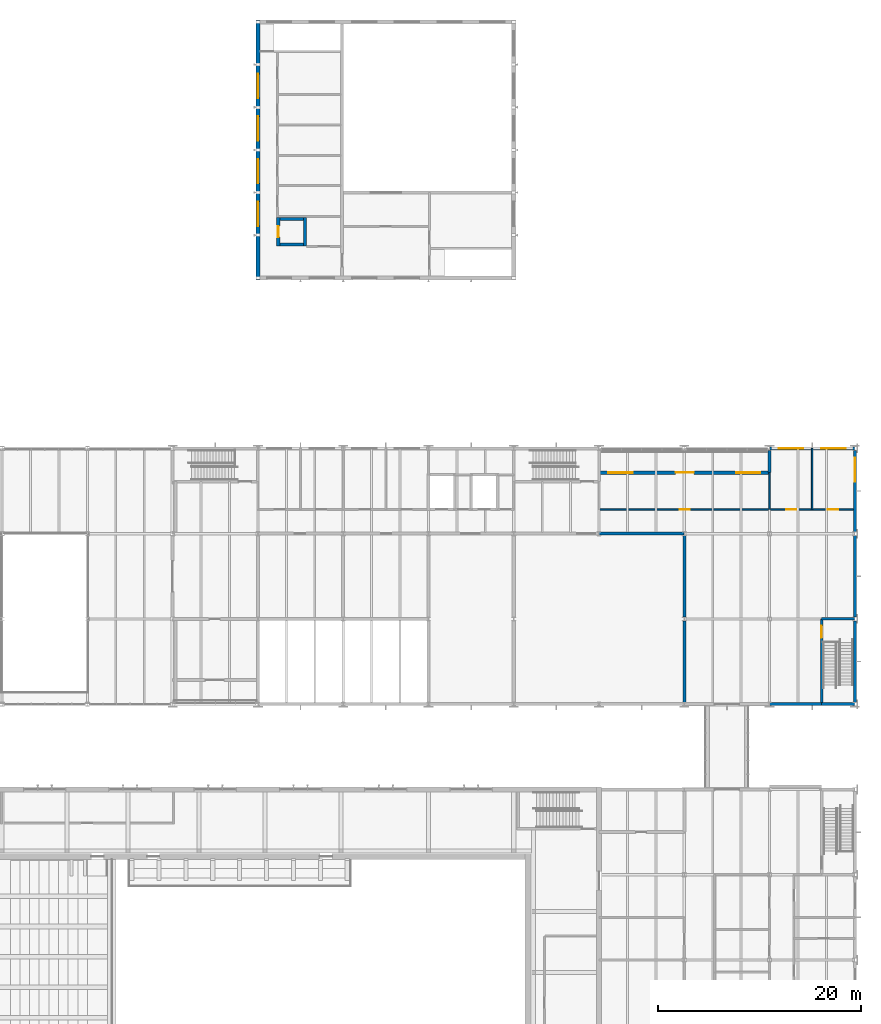
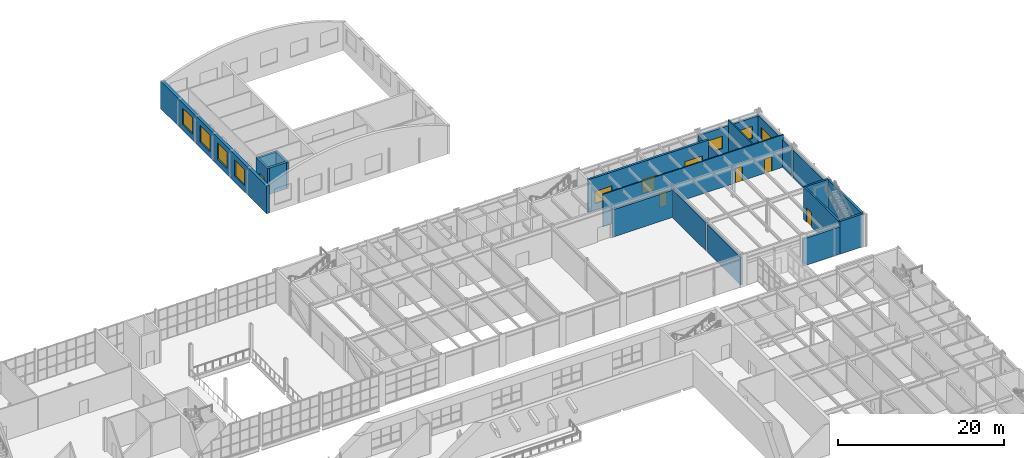
# One storey, part 83 of 127: 21 walls, 9 windows, 6 doors, 15 openings.
"""IFC4 building model written with IfcOpenShell, lengths in metres."""

import ifcopenshell
import ifcopenshell.guid

model = None  # the IFC model being written
_history = None  # IfcOwnerHistory: only IFC2X3 demands one
_inside = {}  # id of a spatial element -> (the spatial element, [elements in it])
_under = {}  # id of a project, library or spatial element -> (it, [spatial elements below it])
_declared = {}  # id of a project -> (the project, [libraries it declares])
_typed = {}  # id of a type object -> (the type object, [elements of that type])
_made_of = {}  # id of a material, layer set ... -> (it, [elements and type objects made of it])


def new_model(schema):
    """Start an empty IFC model of exactly this schema.

    Asked for "IFC4X3", IfcOpenShell would pick the latest addendum, in which some entities
    have other attributes; the version numbers below select the first issue.
    IFC2X3 requires an IfcOwnerHistory on every rooted entity: one is made here for all.
    """
    global model, _history
    if schema == "IFC4X3":
        model = ifcopenshell.file(schema_version=(4, 3, 0, 0))
    else:
        model = ifcopenshell.file(schema=schema)
    _inside.clear()
    _under.clear()
    _declared.clear()
    _typed.clear()
    _made_of.clear()
    _history = None
    if model.schema == "IFC2X3":
        org = make("IfcOrganization", Name="unknown")
        user = make(
            "IfcPersonAndOrganization",
            ThePerson=make("IfcPerson", FamilyName="unknown"),
            TheOrganization=org,
        )
        app = make(
            "IfcApplication",
            ApplicationDeveloper=org,
            Version="unknown",
            ApplicationFullName="unknown",
            ApplicationIdentifier="unknown",
        )
        _history = make(
            "IfcOwnerHistory",
            OwningUser=user,
            OwningApplication=app,
            ChangeAction="ADDED",
            CreationDate=0,
        )
    return model


def make(cls, **values):
    """One entity of the class cls with the attributes given. An attribute that is None is left unset."""
    return model.create_entity(
        cls, **{name: value for name, value in values.items() if value is not None}
    )


def rooted(cls, **values):
    """An entity with a GlobalId (a new one), such as an element, a storey or a relation."""
    return make(cls, GlobalId=ifcopenshell.guid.new(), OwnerHistory=_history, **values)


def si_unit(unit_type, name, prefix=None):
    """IfcSIUnit, for example si_unit("LENGTHUNIT", "METRE", prefix="MILLI")."""
    return make("IfcSIUnit", UnitType=unit_type, Prefix=prefix, Name=name)


def assignment(units):
    """IfcUnitAssignment: the units of a project."""
    return None if units is None else make("IfcUnitAssignment", Units=units)


def point(xyz):
    """IfcCartesianPoint."""
    return None if xyz is None else make("IfcCartesianPoint", Coordinates=xyz)


def direction(xyz):
    """IfcDirection."""
    return None if xyz is None else make("IfcDirection", DirectionRatios=xyz)


def frame(location, z_axis=None, x_axis=None):
    """IfcAxis2Placement3D, a coordinate frame: its origin and axes. An axis left out is left unset."""
    return make(
        "IfcAxis2Placement3D",
        Location=point(location),
        Axis=direction(z_axis),
        RefDirection=direction(x_axis),
    )


def frame_2d(location, x_axis=None):
    """IfcAxis2Placement2D, a coordinate frame in the plane: its origin and x axis."""
    return make(
        "IfcAxis2Placement2D", Location=point(location), RefDirection=direction(x_axis)
    )


def origin():
    """The frame at (0, 0, 0) with its axes left unset."""
    return frame((0.0, 0.0, 0.0))


def place(relative_to, where):
    """IfcLocalPlacement: puts the frame where relative to a parent placement (None: the world)."""
    return make(
        "IfcLocalPlacement", PlacementRelTo=relative_to, RelativePlacement=where
    )


def context(
    kind, dimensions, precision=None, world=None, true_north=None, identifier=None
):
    """IfcGeometricRepresentationContext, for example the 3D "Model" context."""
    return make(
        "IfcGeometricRepresentationContext",
        ContextIdentifier=identifier,
        ContextType=kind,
        CoordinateSpaceDimension=dimensions,
        Precision=precision,
        WorldCoordinateSystem=world,
        TrueNorth=true_north,
    )


def subcontext(parent, identifier, kind, view, scale=None):
    """IfcGeometricRepresentationSubContext, for example "Body" below "Model"."""
    return make(
        "IfcGeometricRepresentationSubContext",
        ContextIdentifier=identifier,
        ContextType=kind,
        ParentContext=parent,
        TargetScale=scale,
        TargetView=view,
    )


def project(units=None, contexts=None):
    """IfcProject with its units and contexts."""
    return rooted(
        "IfcProject",
        Name="project",
        RepresentationContexts=contexts,
        UnitsInContext=assignment(units),
    )


def spatial(cls, under=None, at=None, **own):
    """A site, building, storey or space (cls), placed at a placement, below another one or the project."""
    s = rooted(cls, ObjectPlacement=at, **own)
    if under is not None:
        _under.setdefault(under.id(), (under, []))[1].append(s)
    return s


def profile(cls, at=None, kind="AREA", **sizes):
    """A parametric profile (cls). Its sizes go by their IFC names, for example OverallWidth=200.0."""
    return make(cls, ProfileType=kind, Position=at, **sizes)


def rectangle(**sizes):
    """IfcRectangleProfileDef."""
    return profile("IfcRectangleProfileDef", **sizes)


def extrude(swept, where, along, depth):
    """IfcExtrudedAreaSolid: the profile swept, set in the frame where, extruded along a direction by depth."""
    return make(
        "IfcExtrudedAreaSolid",
        SweptArea=swept,
        Position=where,
        ExtrudedDirection=direction(along),
        Depth=depth,
    )


def shape(context_of_items, identifier, shape_type, items):
    """IfcShapeRepresentation: the items that make up one representation, for example the "Body"."""
    return make(
        "IfcShapeRepresentation",
        ContextOfItems=context_of_items,
        RepresentationIdentifier=identifier,
        RepresentationType=shape_type,
        Items=items,
    )


def material(Name=None, Category=None):
    """IfcMaterial."""
    return make("IfcMaterial", Name=Name, Category=Category)


def layer(
    of_material, thickness, ventilated=None, Name=None, Category=None, Priority=None
):
    """IfcMaterialLayer: one layer of a wall or slab, of a material (None: an air gap)."""
    return make(
        "IfcMaterialLayer",
        Material=of_material,
        LayerThickness=thickness,
        IsVentilated=ventilated,
        Name=Name,
        Category=Category,
        Priority=Priority,
    )


def layer_set(layers, Name=None):
    """IfcMaterialLayerSet."""
    return make("IfcMaterialLayerSet", MaterialLayers=layers, LayerSetName=Name)


def made_of(thing, what):
    """Note that an element or type object is made of a material, layer set ...; save() writes the relation."""
    if what is not None:
        _made_of.setdefault(what.id(), (what, []))[1].append(thing)
    return thing


def type_object(cls, material=None, **own):
    """A type object (cls), such as IfcWallType, which elements share."""
    return made_of(rooted(cls, **own), material)


def element(
    cls,
    number,
    at=None,
    inside=None,
    cuts=None,
    type_object=None,
    material=None,
    context=None,
    identifier="Body",
    shape_type=None,
    held_by="IfcProductDefinitionShape",
    body=None,
    shapes=None,
    **own,
):
    """One element of the class cls, such as IfcWall. Its Tag is "e" and its number.

    at: its placement. inside: the storey or other place that contains it. cuts: it is an
    opening in that element (IfcRelVoidsElement). A single representation is given by context,
    identifier, shape_type and body (its items); several are given by shapes. held_by: the class
    of the entity that holds the representations. save() writes the other relations.
    """
    e = rooted(cls, Tag="e%d" % number, ObjectPlacement=at, **own)
    if body is not None:
        shapes = [shape(context, identifier, shape_type, body)]
    if shapes is not None:
        e.Representation = make(held_by, Representations=shapes)
    if inside is not None:
        _inside.setdefault(inside.id(), (inside, []))[1].append(e)
    if cuts is not None:
        rooted(
            "IfcRelVoidsElement", RelatingBuildingElement=cuts, RelatedOpeningElement=e
        )
    if type_object is not None:
        _typed.setdefault(type_object.id(), (type_object, []))[1].append(e)
    return made_of(e, material)


def fill(opening, filler):
    """IfcRelFillsElement: the door or window that sits in an opening."""
    return rooted(
        "IfcRelFillsElement",
        RelatingOpeningElement=opening,
        RelatedBuildingElement=filler,
    )


def aggregate(whole, parts):
    """IfcRelAggregates: a whole, such as a stair, and the parts it consists of."""
    return rooted("IfcRelAggregates", RelatingObject=whole, RelatedObjects=parts)


def save(model, path):
    """Write the relations noted so far, then the file.

    IfcRelAggregates (storeys below a building ...), IfcRelContainedInSpatialStructure (elements
    in a storey), IfcRelDefinesByType, IfcRelAssociatesMaterial and IfcRelDeclares: one each for
    every whole, place, type object, material and project.
    """
    for whole, parts in _under.values():
        aggregate(whole, parts)
    for where, things in _inside.values():
        rooted(
            "IfcRelContainedInSpatialStructure",
            RelatedElements=things,
            RelatingStructure=where,
        )
    for kind, things in _typed.values():
        rooted("IfcRelDefinesByType", RelatedObjects=things, RelatingType=kind)
    for what, things in _made_of.values():
        rooted("IfcRelAssociatesMaterial", RelatedObjects=things, RelatingMaterial=what)
    for by, libraries in _declared.values():
        rooted("IfcRelDeclares", RelatingContext=by, RelatedDefinitions=libraries)
    model.write(path)


model = new_model("IFC4")

# Units and contexts
model_context = context("Model", 3, precision=1e-05, world=origin(), true_north=direction((0.0, 1.0)))
body_context = subcontext(model_context, "Body", "Model", "MODEL_VIEW")
ifc_project = project(units=[si_unit("LENGTHUNIT", "METRE"), si_unit("AREAUNIT", "SQUARE_METRE"), si_unit("VOLUMEUNIT", "CUBIC_METRE"), si_unit("PLANEANGLEUNIT", "RADIAN"), si_unit("MASSUNIT", "GRAM", prefix="KILO")], contexts=[model_context])

# Site, building, storey
site_placement = place(None, origin())
site = spatial("IfcSite", under=ifc_project, at=site_placement, CompositionType="ELEMENT")
building_placement = place(site_placement, origin())
building = spatial("IfcBuilding", under=site, at=building_placement, Name="Ljudholm Concert House", CompositionType="ELEMENT")
storey_placement = place(building_placement, frame((0.0, 0.0, 5.39990234375)))
storey = spatial("IfcBuildingStorey", under=building, at=storey_placement, Name="L01", CompositionType="ELEMENT", Elevation=5.39990234375)

# Walls
ifc_material_1 = material(Name="Double gypsum board on staggered studs")
ifc_layer_1 = layer(ifc_material_1, 0.300048828125)
ifc_layer_set_1 = layer_set([ifc_layer_1], Name="Double gypsum board on staggered studs")
wall_type_1 = type_object("IfcWallType", Name="ACOUSTIC PARTITION 300", PredefinedType="PARTITIONING", material=ifc_layer_set_1)
wall_1_placement = place(storey_placement, frame((104.800048828125, 104.986572265625, 0.0), z_axis=(0.0, 0.0, 1.0), x_axis=(0.0, 1.0, 0.0)))
element("IfcWall", 1, at=wall_1_placement, inside=storey, type_object=wall_type_1, Name="Acoustic partition", PredefinedType="PARTITIONING", context=body_context, shape_type="SweptSolid", body=[
    extrude(rectangle(XDim=8.02685546875, YDim=0.300048828125, at=frame_2d((4.013427734375, 0.0))), origin(), (0.0, 0.0, 1.0), 4.086669921875),
])
wall_2_placement = place(storey_placement, frame((104.800048828125, 113.38671875, 0.0), z_axis=(0.0, 0.0, 1.0), x_axis=(0.0, 1.0, 0.0)))
element("IfcWall", 2, at=wall_2_placement, inside=storey, type_object=wall_type_1, Name="Acoustic partition", PredefinedType="PARTITIONING", context=body_context, shape_type="SweptSolid", body=[
    extrude(rectangle(XDim=8.026611328125, YDim=0.300048828125, at=frame_2d((4.01318359375, 0.0))), origin(), (0.0, 0.0, 1.0), 4.086669921875),
])
wall_3_placement = place(storey_placement, frame((96.391845703125, 121.60009765625, 0.0), z_axis=(0.0, 0.0, 1.0), x_axis=(1.0, 0.0, 0.0)))
element("IfcWall", 3, at=wall_3_placement, inside=storey, type_object=wall_type_1, Name="Acoustic partition", PredefinedType="PARTITIONING", context=body_context, shape_type="SweptSolid", body=[
    extrude(rectangle(XDim=8.39990234375, YDim=0.300048828125, at=frame_2d((4.199951171875, 0.0))), origin(), (0.0, 0.0, 1.0), 4.008056640625),
])
ifc_material_2 = material(Name="Gypsum board on steel studs", Category="steel")
ifc_layer_2 = layer(ifc_material_2, 0.14990234375)
ifc_layer_set_2 = layer_set([ifc_layer_2], Name="Gypsum board on steel studs")
wall_type_2 = type_object("IfcWallType", Name="GYPSUM PARTITION 150", PredefinedType="PARTITIONING", material=ifc_layer_set_2)
wall_4_placement = place(storey_placement, frame((113.199951171875, 124.0, 0.0), z_axis=(0.0, 0.0, 1.0), x_axis=(0.0, 1.0, 0.0)))
element("IfcWall", 4, at=wall_4_placement, inside=storey, type_object=wall_type_2, Name="Partition", PredefinedType="PARTITIONING", context=body_context, shape_type="SweptSolid", body=[
    extrude(rectangle(XDim=3.60009765625, YDim=0.14990234375, at=frame_2d((1.800048828125, 0.0))), origin(), (0.0, 0.0, 1.0), 4.086669921875),
])
wall_5_placement = place(storey_placement, frame((117.39990234375, 124.0, 0.0), z_axis=(0.0, 0.0, 1.0), x_axis=(0.0, 1.0, 0.0)))
element("IfcWall", 5, at=wall_5_placement, inside=storey, type_object=wall_type_2, Name="Partition", PredefinedType="PARTITIONING", context=body_context, shape_type="SweptSolid", body=[
    extrude(rectangle(XDim=6.0, YDim=0.14990234375, at=frame_2d((3.0, 0.0))), origin(), (0.0, 0.0, 1.0), 4.800048828125),
])

# Wall, openings, doors
wall_6_placement = place(storey_placement, frame((96.39990234375, 124.0, 0.0), z_axis=(0.0, 0.0, 1.0), x_axis=(1.0, 0.0, 0.0)))
wall_6 = element("IfcWall", 6, at=wall_6_placement, inside=storey, type_object=wall_type_2, Name="Partition", PredefinedType="PARTITIONING", context=body_context, shape_type="SweptSolid", body=[
    extrude(rectangle(XDim=25.2001953125, YDim=0.14990234375, at=frame_2d((12.60009765625, 0.0))), origin(), (0.0, 0.0, 1.0), 4.800048828125),
])
opening_1_placement = place(wall_6_placement, frame((7.949951171875, 0.0, 0.0)))
opening_1 = element("IfcOpeningElement", 7, at=opening_1_placement, cuts=wall_6, Name="Opening D-R01-013", PredefinedType="OPENING", context=body_context, shape_type="SweptSolid", body=[
    extrude(rectangle(XDim=1.0, YDim=2.10009765625, at=frame_2d((0.5, 1.050048828125))), frame((0.0, 0.0849609375, 0.0), z_axis=(0.0, -1.0, 0.0), x_axis=(1.0, 0.0, 0.0)), (0.0, 0.0, 1.0), 0.169921875),
])
opening_2_placement = place(wall_6_placement, frame((18.449951171875, 0.0, 0.0)))
opening_2 = element("IfcOpeningElement", 8, at=opening_2_placement, cuts=wall_6, Name="Opening D-R01-018", PredefinedType="OPENING", context=body_context, shape_type="SweptSolid", body=[
    extrude(rectangle(XDim=1.0, YDim=2.10009765625, at=frame_2d((0.5, 1.050048828125))), frame((0.0, 0.0849609375, 0.0), z_axis=(0.0, -1.0, 0.0), x_axis=(1.0, 0.0, 0.0)), (0.0, 0.0, 1.0), 0.169921875),
])
opening_3_placement = place(wall_6_placement, frame((22.550048828125, 0.0, 0.0)))
opening_3 = element("IfcOpeningElement", 9, at=opening_3_placement, cuts=wall_6, Name="Opening D-R01-019", PredefinedType="OPENING", context=body_context, shape_type="SweptSolid", body=[
    extrude(rectangle(XDim=1.0, YDim=2.10009765625, at=frame_2d((0.5, 1.050048828125))), frame((0.0, 0.0849609375, 0.0), z_axis=(0.0, -1.0, 0.0), x_axis=(1.0, 0.0, 0.0)), (0.0, 0.0, 1.0), 0.169921875),
])
ifc_material_3 = material(Name="Hollow metal door in steel frame", Category="steel")
door_type_1 = type_object("IfcDoorType", Name="SWING DOOR 1000x2100", OperationType="SINGLE_SWING_LEFT", PredefinedType="DOOR", material=ifc_material_3)
door_1_placement = place(opening_1_placement, origin())
door_1 = element("IfcDoor", 10, at=door_1_placement, inside=storey, type_object=door_type_1, Name="Door", OperationType="SINGLE_SWING_RIGHT", OverallHeight=2.10009765625, OverallWidth=1.0, PredefinedType="DOOR", context=body_context, shape_type="SweptSolid", body=[
    extrude(rectangle(XDim=1.0, YDim=2.10009765625, at=frame_2d((0.5, 1.050048828125))), frame((0.0, 0.02490234375, 0.0), z_axis=(0.0, -1.0, 0.0), x_axis=(1.0, 0.0, 0.0)), (0.0, 0.0, 1.0), 0.050048828125),
])
fill(opening_1, door_1)
door_2_placement = place(opening_2_placement, origin())
door_2 = element("IfcDoor", 11, at=door_2_placement, inside=storey, type_object=door_type_1, Name="Door", OperationType="SINGLE_SWING_LEFT", OverallHeight=2.10009765625, OverallWidth=1.0, PredefinedType="DOOR", context=body_context, shape_type="SweptSolid", body=[
    extrude(rectangle(XDim=1.0, YDim=2.10009765625, at=frame_2d((0.5, 1.050048828125))), frame((0.0, 0.02490234375, 0.0), z_axis=(0.0, -1.0, 0.0), x_axis=(1.0, 0.0, 0.0)), (0.0, 0.0, 1.0), 0.050048828125),
])
fill(opening_2, door_2)
door_3_placement = place(opening_3_placement, origin())
door_3 = element("IfcDoor", 12, at=door_3_placement, inside=storey, type_object=door_type_1, Name="Door", OperationType="SINGLE_SWING_RIGHT", OverallHeight=2.10009765625, OverallWidth=1.0, PredefinedType="DOOR", context=body_context, shape_type="SweptSolid", body=[
    extrude(rectangle(XDim=1.0, YDim=2.10009765625, at=frame_2d((0.5, 1.050048828125))), frame((0.0, 0.02490234375, 0.0), z_axis=(0.0, -1.0, 0.0), x_axis=(1.0, 0.0, 0.0)), (0.0, 0.0, 1.0), 0.050048828125),
])
fill(opening_3, door_3)

# Wall
ifc_material_4 = material(Name="Precast concrete 5,000 psi", Category="concrete")
ifc_layer_3 = layer(ifc_material_4, 0.300048828125)
ifc_layer_set_3 = layer_set([ifc_layer_3], Name="Precast concrete 5,000 psi")
wall_type_3 = type_object("IfcWallType", Name="PRECAST PANEL WALL 300", PredefinedType="SOLIDWALL", material=ifc_layer_set_3)
wall_7_placement = place(storey_placement, frame((121.60009765625, 113.38671875, 0.0), z_axis=(0.0, 0.0, 1.0), x_axis=(0.0, 1.0, 0.0)))
element("IfcWall", 13, at=wall_7_placement, inside=storey, type_object=wall_type_3, Name="Facade wall", PredefinedType="SOLIDWALL", context=body_context, shape_type="SweptSolid", body=[
    extrude(rectangle(XDim=8.026611328125, YDim=0.300048828125, at=frame_2d((4.01318359375, 0.0))), origin(), (0.0, 0.0, 1.0), 4.086669921875),
])

# Wall, opening, window
wall_8_placement = place(storey_placement, frame((121.60009765625, 121.78662109375, 0.0), z_axis=(0.0, 0.0, 1.0), x_axis=(0.0, 1.0, 0.0)))
wall_8 = element("IfcWall", 14, at=wall_8_placement, inside=storey, type_object=wall_type_3, Name="Facade wall", PredefinedType="SOLIDWALL", context=body_context, shape_type="SweptSolid", body=[
    extrude(rectangle(XDim=8.026611328125, YDim=0.300048828125, at=frame_2d((4.01318359375, 0.0))), origin(), (0.0, 0.0, 1.0), 4.086669921875),
])
opening_4_placement = place(wall_8_placement, frame((4.913330078125, 0.0, 0.949951171875)))
opening_4 = element("IfcOpeningElement", 15, at=opening_4_placement, cuts=wall_8, Name="Opening X-R01-006", PredefinedType="OPENING", context=body_context, shape_type="SweptSolid", body=[
    extrude(rectangle(XDim=2.39990234375, YDim=1.800048828125, at=frame_2d((1.199951171875, 0.89990234375))), frame((0.0, 0.159912109375, 0.0), z_axis=(0.0, -1.0, 0.0), x_axis=(1.0, 0.0, 0.0)), (0.0, 0.0, 1.0), 0.320068359375),
])
ifc_material_5 = material(Name="Aluminium frame, impact glazing", Category="aluminium")
window_type_1 = type_object("IfcWindowType", Name="CASEMENT WINDOW 2400x1800", PartitioningType="DOUBLE_PANEL_VERTICAL", PredefinedType="WINDOW", material=ifc_material_5)
window_1_placement = place(opening_4_placement, origin())
window_1 = element("IfcWindow", 16, at=window_1_placement, inside=storey, type_object=window_type_1, Name="Window", OverallHeight=1.800048828125, OverallWidth=2.39990234375, PartitioningType="DOUBLE_PANEL_VERTICAL", PredefinedType="WINDOW", context=body_context, shape_type="SweptSolid", body=[
    extrude(rectangle(XDim=2.39990234375, YDim=1.800048828125, at=frame_2d((1.199951171875, 0.89990234375))), frame((0.0, 0.030029296875, 0.0), z_axis=(0.0, -1.0, 0.0), x_axis=(1.0, 0.0, 0.0)), (0.0, 0.0, 1.0), 0.06005859375),
])
fill(opening_4, window_1)

# Wall
wall_9_placement = place(storey_placement, frame((113.19189453125, 104.800048828125, 0.0), z_axis=(0.0, 0.0, 1.0), x_axis=(1.0, 0.0, 0.0)))
element("IfcWall", 17, at=wall_9_placement, inside=storey, type_object=wall_type_3, Name="Facade wall", PredefinedType="SOLIDWALL", context=body_context, shape_type="SweptSolid", body=[
    extrude(rectangle(XDim=5.133056640625, YDim=0.300048828125, at=frame_2d((2.56640625, 0.0))), origin(), (0.0, 0.0, 1.0), 4.008056640625),
])

# Wall, openings, windows
wall_10_placement = place(storey_placement, frame((113.208251953125, 130.0, 0.0), z_axis=(0.0, 0.0, 1.0), x_axis=(1.0, 0.0, 0.0)))
wall_10 = element("IfcWall", 18, at=wall_10_placement, inside=storey, type_object=wall_type_3, Name="Facade wall", PredefinedType="SOLIDWALL", context=body_context, shape_type="SweptSolid", body=[
    extrude(rectangle(XDim=8.383544921875, YDim=0.300048828125, at=frame_2d((4.19189453125, 0.0))), origin(), (0.0, 0.0, 1.0), 4.008056640625),
])
opening_5_placement = place(wall_10_placement, frame((0.891845703125, 0.0, 0.949951171875)))
opening_5 = element("IfcOpeningElement", 19, at=opening_5_placement, cuts=wall_10, Name="Opening X-R01-005", PredefinedType="OPENING", context=body_context, shape_type="SweptSolid", body=[
    extrude(rectangle(XDim=2.39990234375, YDim=1.800048828125, at=frame_2d((1.199951171875, 0.89990234375))), frame((0.0, 0.159912109375, 0.0), z_axis=(0.0, -1.0, 0.0), x_axis=(1.0, 0.0, 0.0)), (0.0, 0.0, 1.0), 0.320068359375),
])
opening_6_placement = place(wall_10_placement, frame((5.091796875, 0.0, 0.949951171875)))
opening_6 = element("IfcOpeningElement", 20, at=opening_6_placement, cuts=wall_10, Name="Opening X-R01-007", PredefinedType="OPENING", context=body_context, shape_type="SweptSolid", body=[
    extrude(rectangle(XDim=2.39990234375, YDim=1.800048828125, at=frame_2d((1.199951171875, 0.89990234375))), frame((0.0, 0.159912109375, 0.0), z_axis=(0.0, -1.0, 0.0), x_axis=(1.0, 0.0, 0.0)), (0.0, 0.0, 1.0), 0.320068359375),
])
window_2_placement = place(opening_5_placement, origin())
window_2 = element("IfcWindow", 21, at=window_2_placement, inside=storey, type_object=window_type_1, Name="Window", OverallHeight=1.800048828125, OverallWidth=2.39990234375, PartitioningType="DOUBLE_PANEL_VERTICAL", PredefinedType="WINDOW", context=body_context, shape_type="SweptSolid", body=[
    extrude(rectangle(XDim=2.39990234375, YDim=1.800048828125, at=frame_2d((1.199951171875, 0.89990234375))), frame((0.0, 0.030029296875, 0.0), z_axis=(0.0, -1.0, 0.0), x_axis=(1.0, 0.0, 0.0)), (0.0, 0.0, 1.0), 0.06005859375),
])
fill(opening_5, window_2)
window_3_placement = place(opening_6_placement, origin())
window_3 = element("IfcWindow", 22, at=window_3_placement, inside=storey, type_object=window_type_1, Name="Window", OverallHeight=1.800048828125, OverallWidth=2.39990234375, PartitioningType="DOUBLE_PANEL_VERTICAL", PredefinedType="WINDOW", context=body_context, shape_type="SweptSolid", body=[
    extrude(rectangle(XDim=2.39990234375, YDim=1.800048828125, at=frame_2d((1.199951171875, 0.89990234375))), frame((0.0, 0.030029296875, 0.0), z_axis=(0.0, -1.0, 0.0), x_axis=(1.0, 0.0, 0.0)), (0.0, 0.0, 1.0), 0.06005859375),
])
fill(opening_6, window_3)

# Wall
wall_11_placement = place(storey_placement, frame((113.199951171875, 127.60009765625, 0.0), z_axis=(0.0, 0.0, 1.0), x_axis=(0.0, 1.0, 0.0)))
element("IfcWall", 23, at=wall_11_placement, inside=storey, type_object=wall_type_3, Name="Loggia wall", PredefinedType="SOLIDWALL", context=body_context, shape_type="SweptSolid", body=[
    extrude(rectangle(XDim=2.213134765625, YDim=0.300048828125, at=frame_2d((1.1064453125, 0.0))), origin(), (0.0, 0.0, 1.0), 4.086669921875),
])

# Wall, openings, windows, door
wall_12_placement = place(storey_placement, frame((96.39990234375, 127.60009765625, 0.0), z_axis=(0.0, 0.0, 1.0), x_axis=(1.0, 0.0, 0.0)))
wall_12 = element("IfcWall", 24, at=wall_12_placement, inside=storey, type_object=wall_type_3, Name="Loggia wall", PredefinedType="SOLIDWALL", context=body_context, shape_type="SweptSolid", body=[
    extrude(rectangle(XDim=16.800048828125, YDim=0.300048828125, at=frame_2d((8.39990234375, 0.0))), origin(), (0.0, 0.0, 1.0), 4.800048828125),
])
opening_7_placement = place(wall_12_placement, frame((7.550048828125, 0.0, 0.0)))
opening_7 = element("IfcOpeningElement", 25, at=opening_7_placement, cuts=wall_12, Name="Opening D-R01-021", PredefinedType="OPENING", context=body_context, shape_type="SweptSolid", body=[
    extrude(rectangle(XDim=1.800048828125, YDim=2.10009765625, at=frame_2d((0.89990234375, 1.050048828125))), frame((0.0, 0.159912109375, 0.0), z_axis=(0.0, -1.0, 0.0), x_axis=(1.0, 0.0, 0.0)), (0.0, 0.0, 1.0), 0.320068359375),
])
opening_8_placement = place(wall_12_placement, frame((0.89990234375, 0.0, 0.949951171875)))
opening_8 = element("IfcOpeningElement", 26, at=opening_8_placement, cuts=wall_12, Name="Opening X-R01-008", PredefinedType="OPENING", context=body_context, shape_type="SweptSolid", body=[
    extrude(rectangle(XDim=2.39990234375, YDim=1.800048828125, at=frame_2d((1.199951171875, 0.89990234375))), frame((0.0, 0.159912109375, 0.0), z_axis=(0.0, -1.0, 0.0), x_axis=(1.0, 0.0, 0.0)), (0.0, 0.0, 1.0), 0.320068359375),
])
opening_9_placement = place(wall_12_placement, frame((13.5, 0.0, 0.949951171875)))
opening_9 = element("IfcOpeningElement", 27, at=opening_9_placement, cuts=wall_12, Name="Opening X-R01-009", PredefinedType="OPENING", context=body_context, shape_type="SweptSolid", body=[
    extrude(rectangle(XDim=2.39990234375, YDim=1.800048828125, at=frame_2d((1.199951171875, 0.89990234375))), frame((0.0, 0.159912109375, 0.0), z_axis=(0.0, -1.0, 0.0), x_axis=(1.0, 0.0, 0.0)), (0.0, 0.0, 1.0), 0.320068359375),
])
window_4_placement = place(opening_8_placement, origin())
window_4 = element("IfcWindow", 28, at=window_4_placement, inside=storey, type_object=window_type_1, Name="Window", OverallHeight=1.800048828125, OverallWidth=2.39990234375, PartitioningType="DOUBLE_PANEL_VERTICAL", PredefinedType="WINDOW", context=body_context, shape_type="SweptSolid", body=[
    extrude(rectangle(XDim=2.39990234375, YDim=1.800048828125, at=frame_2d((1.199951171875, 0.89990234375))), frame((0.0, 0.030029296875, 0.0), z_axis=(0.0, -1.0, 0.0), x_axis=(1.0, 0.0, 0.0)), (0.0, 0.0, 1.0), 0.06005859375),
])
fill(opening_8, window_4)
window_5_placement = place(opening_9_placement, origin())
window_5 = element("IfcWindow", 29, at=window_5_placement, inside=storey, type_object=window_type_1, Name="Window", OverallHeight=1.800048828125, OverallWidth=2.39990234375, PartitioningType="DOUBLE_PANEL_VERTICAL", PredefinedType="WINDOW", context=body_context, shape_type="SweptSolid", body=[
    extrude(rectangle(XDim=2.39990234375, YDim=1.800048828125, at=frame_2d((1.199951171875, 0.89990234375))), frame((0.0, 0.030029296875, 0.0), z_axis=(0.0, -1.0, 0.0), x_axis=(1.0, 0.0, 0.0)), (0.0, 0.0, 1.0), 0.06005859375),
])
fill(opening_9, window_5)
ifc_material_6 = material(Name="Hollow metal door in steel frame", Category="steel")
door_type_2 = type_object("IfcDoorType", Name="DOUBLE DOOR 1800x2100 EXTERNAL", OperationType="DOUBLE_DOOR_SINGLE_SWING", PredefinedType="DOOR", material=ifc_material_6)
door_4_placement = place(opening_7_placement, origin())
door_4 = element("IfcDoor", 30, at=door_4_placement, inside=storey, type_object=door_type_2, Name="Loggia door", OperationType="DOUBLE_DOOR_SINGLE_SWING", OverallHeight=2.10009765625, OverallWidth=1.800048828125, PredefinedType="DOOR", context=body_context, shape_type="SweptSolid", body=[
    extrude(rectangle(XDim=1.800048828125, YDim=2.10009765625, at=frame_2d((0.89990234375, 1.050048828125))), frame((0.0, 0.02490234375, 0.0), z_axis=(0.0, -1.0, 0.0), x_axis=(1.0, 0.0, 0.0)), (0.0, 0.0, 1.0), 0.050048828125),
])
fill(opening_7, door_4)

# Wall, opening, door
ifc_material_7 = material(Name="Concrete 6,500 psi", Category="concrete")
ifc_layer_4 = layer(ifc_material_7, 0.25)
ifc_layer_set_4 = layer_set([ifc_layer_4], Name="Concrete 6,500 psi")
wall_type_4 = type_object("IfcWallType", Name="RC CORE WALL 250", PredefinedType="SHEAR", material=ifc_layer_set_4)
wall_13_placement = place(storey_placement, frame((118.324951171875, 104.800048828125, 0.0), z_axis=(0.0, 0.0, 1.0), x_axis=(0.0, 1.0, 0.0)))
wall_13 = element("IfcWall", 31, at=wall_13_placement, inside=storey, type_object=wall_type_4, Name="Stair core wall", PredefinedType="SHEAR", context=body_context, shape_type="SweptSolid", body=[
    extrude(rectangle(XDim=8.39990234375, YDim=0.25, at=frame_2d((4.199951171875, 0.0))), origin(), (0.0, 0.0, 1.0), 4.800048828125),
])
opening_10_placement = place(wall_13_placement, frame((6.52490234375, 0.0, 0.0)))
opening_10 = element("IfcOpeningElement", 32, at=opening_10_placement, cuts=wall_13, Name="Opening D-R01-005", PredefinedType="OPENING", context=body_context, shape_type="SweptSolid", body=[
    extrude(rectangle(XDim=1.199951171875, YDim=2.10009765625, at=frame_2d((0.60009765625, 1.050048828125))), frame((0.0, 0.135009765625, 0.0), z_axis=(0.0, -1.0, 0.0), x_axis=(1.0, 0.0, 0.0)), (0.0, 0.0, 1.0), 0.27001953125),
])
ifc_material_8 = material(Name="Hollow metal door in steel frame", Category="steel")
door_type_3 = type_object("IfcDoorType", Name="SWING DOOR 1200x2100", OperationType="SINGLE_SWING_LEFT", PredefinedType="DOOR", material=ifc_material_8)
door_5_placement = place(opening_10_placement, frame((1.199951171875, 0.0, 0.0), z_axis=(0.0, 0.0, 1.0), x_axis=(-1.0, 0.0, 0.0)))
door_5 = element("IfcDoor", 33, at=door_5_placement, inside=storey, type_object=door_type_3, Name="Door", OperationType="SINGLE_SWING_LEFT", OverallHeight=2.10009765625, OverallWidth=1.199951171875, PredefinedType="DOOR", context=body_context, shape_type="SweptSolid", body=[
    extrude(rectangle(XDim=1.199951171875, YDim=2.10009765625, at=frame_2d((0.60009765625, 1.050048828125))), frame((0.0, 0.02490234375, 0.0), z_axis=(0.0, -1.0, 0.0), x_axis=(1.0, 0.0, 0.0)), (0.0, 0.0, 1.0), 0.050048828125),
])
fill(opening_10, door_5)

# Walls
wall_14_placement = place(storey_placement, frame((118.324951171875, 113.199951171875, 0.0), z_axis=(0.0, 0.0, 1.0), x_axis=(1.0, 0.0, 0.0)))
element("IfcWall", 34, at=wall_14_placement, inside=storey, type_object=wall_type_4, Name="Stair core wall", PredefinedType="SHEAR", context=body_context, shape_type="SweptSolid", body=[
    extrude(rectangle(XDim=3.266845703125, YDim=0.25, at=frame_2d((1.63330078125, 0.0))), origin(), (0.0, 0.0, 1.0), 4.800048828125),
])
ifc_material_9 = material(Name="Concrete 6,500 psi", Category="concrete")
ifc_layer_5 = layer(ifc_material_9, 0.300048828125)
ifc_layer_set_5 = layer_set([ifc_layer_5], Name="Concrete 6,500 psi")
wall_type_5 = type_object("IfcWallType", Name="RC CORE WALL 300", PredefinedType="SHEAR", material=ifc_layer_set_5)
wall_15_placement = place(storey_placement, frame((121.60009765625, 104.986572265625, 0.0), z_axis=(0.0, 0.0, 1.0), x_axis=(0.0, 1.0, 0.0)))
element("IfcWall", 35, at=wall_15_placement, inside=storey, type_object=wall_type_5, Name="Stair core wall", PredefinedType="SHEAR", context=body_context, shape_type="SweptSolid", body=[
    extrude(rectangle(XDim=8.02685546875, YDim=0.300048828125, at=frame_2d((4.013427734375, 0.0))), origin(), (0.0, 0.0, 1.0), 4.800048828125),
])
wall_16_placement = place(storey_placement, frame((118.324951171875, 104.800048828125, 0.0), z_axis=(0.0, 0.0, 1.0), x_axis=(1.0, 0.0, 0.0)))
element("IfcWall", 36, at=wall_16_placement, inside=storey, type_object=wall_type_5, Name="Stair core wall", PredefinedType="SHEAR", context=body_context, shape_type="SweptSolid", body=[
    extrude(rectangle(XDim=3.266845703125, YDim=0.300048828125, at=frame_2d((1.63330078125, 0.0))), origin(), (0.0, 0.0, 1.0), 4.800048828125),
])

# Wall, opening, door
ifc_material_10 = material(Name="Concrete 6,500 psi", Category="concrete")
ifc_layer_6 = layer(ifc_material_10, 0.300048828125)
ifc_layer_set_6 = layer_set([ifc_layer_6], Name="Concrete 6,500 psi")
wall_type_6 = type_object("IfcWallType", Name="RC WALL 300", PredefinedType="SOLIDWALL", material=ifc_layer_set_6)
wall_17_placement = place(storey_placement, frame((64.800048828125, 149.949951171875, 0.0), z_axis=(0.0, 0.0, 1.0), x_axis=(0.0, 1.0, 0.0)))
wall_17 = element("IfcWall", 37, at=wall_17_placement, inside=storey, type_object=wall_type_6, Name="Lift shaft wall", PredefinedType="SOLIDWALL", context=body_context, shape_type="SweptSolid", body=[
    extrude(rectangle(XDim=2.800048828125, YDim=0.300048828125, at=frame_2d((1.39990234375, 0.0))), origin(), (0.0, 0.0, 1.0), 3.900146484375),
])
opening_11_placement = place(wall_17_placement, frame((0.85009765625, 0.0, 0.0)))
opening_11 = element("IfcOpeningElement", 38, at=opening_11_placement, cuts=wall_17, Name="Opening LD-E01-001", PredefinedType="OPENING", context=body_context, shape_type="SweptSolid", body=[
    extrude(rectangle(XDim=1.10009765625, YDim=2.10009765625, at=frame_2d((0.550048828125, 1.050048828125))), frame((0.0, 0.159912109375, 0.0), z_axis=(0.0, -1.0, 0.0), x_axis=(1.0, 0.0, 0.0)), (0.0, 0.0, 1.0), 0.320068359375),
])
ifc_material_11 = material(Name="Stainless steel sliding landing door, fire-rated", Category="steel")
door_type_4 = type_object("IfcDoorType", Name="LIFT DOOR 1100x2100", OperationType="SLIDING_TO_LEFT", PredefinedType="DOOR", material=ifc_material_11)
door_6_placement = place(opening_11_placement, origin())
door_6 = element("IfcDoor", 39, at=door_6_placement, inside=storey, type_object=door_type_4, Name="Lift landing door", OperationType="SLIDING_TO_LEFT", OverallHeight=2.10009765625, OverallWidth=1.10009765625, PredefinedType="DOOR", context=body_context, shape_type="SweptSolid", body=[
    extrude(rectangle(XDim=1.10009765625, YDim=2.10009765625, at=frame_2d((0.550048828125, 1.050048828125))), frame((0.0, 0.02490234375, 0.0), z_axis=(0.0, -1.0, 0.0), x_axis=(1.0, 0.0, 0.0)), (0.0, 0.0, 1.0), 0.050048828125),
])
fill(opening_11, door_6)

# Walls
wall_18_placement = place(storey_placement, frame((67.449951171875, 149.949951171875, 0.0), z_axis=(0.0, 0.0, 1.0), x_axis=(0.0, 1.0, 0.0)))
element("IfcWall", 40, at=wall_18_placement, inside=storey, type_object=wall_type_6, Name="Lift shaft wall", PredefinedType="SOLIDWALL", context=body_context, shape_type="SweptSolid", body=[
    extrude(rectangle(XDim=2.800048828125, YDim=0.300048828125, at=frame_2d((1.39990234375, 0.0))), origin(), (0.0, 0.0, 1.0), 3.900146484375),
])
for number, where, z_axis, x_axis, name in (
    (41, (64.949951171875, 150.10009765625, 0.0), (0.0, 0.0, 1.0), (1.0, 0.0, 0.0), "Lift shaft wall"),
    (42, (64.949951171875, 152.60009765625, 0.0), (0.0, 0.0, 1.0), (1.0, 0.0, 0.0), "Lift shaft wall"),
):
    element("IfcWall", number, at=place(storey_placement, frame(where, z_axis=z_axis, x_axis=x_axis)), inside=storey, type_object=wall_type_6, Name=name, PredefinedType="SOLIDWALL", context=body_context, shape_type="SweptSolid", body=[
        extrude(rectangle(XDim=2.35009765625, YDim=0.300048828125, at=frame_2d((1.175048828125, 0.0))), origin(), (0.0, 0.0, 1.0), 3.900146484375),
    ])

# Wall, openings, windows
ifc_material_12 = material(Name="Concrete 6,500 psi", Category="concrete")
ifc_layer_7 = layer(ifc_material_12, 0.39990234375)
ifc_layer_set_7 = layer_set([ifc_layer_7], Name="Concrete 6,500 psi")
wall_type_7 = type_object("IfcWallType", Name="RC WALL 400", PredefinedType="SOLIDWALL", material=ifc_layer_set_7)
wall_19_placement = place(storey_placement, frame((62.800048828125, 146.60009765625, 0.0), z_axis=(0.0, 0.0, 1.0), x_axis=(0.0, 1.0, 0.0)))
wall_19 = element("IfcWall", 43, at=wall_19_placement, inside=storey, type_object=wall_type_7, Name="Outer wall W", PredefinedType="SOLIDWALL", context=body_context, shape_type="SweptSolid", body=[
    extrude(rectangle(XDim=25.599853515625, YDim=0.39990234375, at=frame_2d((12.7998046875, 0.0))), origin(), (0.0, 0.0, 1.0), 4.10009765625),
])
opening_12_placement = place(wall_19_placement, frame((5.300048828125, 0.0, 0.89990234375)))
opening_12 = element("IfcOpeningElement", 44, at=opening_12_placement, cuts=wall_19, Name="Opening X-E01-005", PredefinedType="OPENING", context=body_context, shape_type="SweptSolid", body=[
    extrude(rectangle(XDim=2.39990234375, YDim=2.39990234375, at=frame_2d((1.199951171875, 1.199951171875))), frame((0.0, 0.2099609375, 0.0), z_axis=(0.0, -1.0, 0.0), x_axis=(1.0, 0.0, 0.0)), (0.0, 0.0, 1.0), 0.419921875),
])
opening_13_placement = place(wall_19_placement, frame((9.5, 0.0, 0.89990234375)))
opening_13 = element("IfcOpeningElement", 45, at=opening_13_placement, cuts=wall_19, Name="Opening X-E01-006", PredefinedType="OPENING", context=body_context, shape_type="SweptSolid", body=[
    extrude(rectangle(XDim=2.39990234375, YDim=2.39990234375, at=frame_2d((1.199951171875, 1.199951171875))), frame((0.0, 0.2099609375, 0.0), z_axis=(0.0, -1.0, 0.0), x_axis=(1.0, 0.0, 0.0)), (0.0, 0.0, 1.0), 0.419921875),
])
opening_14_placement = place(wall_19_placement, frame((13.699951171875, 0.0, 0.89990234375)))
opening_14 = element("IfcOpeningElement", 46, at=opening_14_placement, cuts=wall_19, Name="Opening X-E01-007", PredefinedType="OPENING", context=body_context, shape_type="SweptSolid", body=[
    extrude(rectangle(XDim=2.39990234375, YDim=2.39990234375, at=frame_2d((1.199951171875, 1.199951171875))), frame((0.0, 0.2099609375, 0.0), z_axis=(0.0, -1.0, 0.0), x_axis=(1.0, 0.0, 0.0)), (0.0, 0.0, 1.0), 0.419921875),
])
opening_15_placement = place(wall_19_placement, frame((17.89990234375, 0.0, 0.89990234375)))
opening_15 = element("IfcOpeningElement", 47, at=opening_15_placement, cuts=wall_19, Name="Opening X-E01-008", PredefinedType="OPENING", context=body_context, shape_type="SweptSolid", body=[
    extrude(rectangle(XDim=2.39990234375, YDim=2.39990234375, at=frame_2d((1.199951171875, 1.199951171875))), frame((0.0, 0.2099609375, 0.0), z_axis=(0.0, -1.0, 0.0), x_axis=(1.0, 0.0, 0.0)), (0.0, 0.0, 1.0), 0.419921875),
])
ifc_material_13 = material(Name="Aluminium frame, impact glazing", Category="aluminium")
window_type_2 = type_object("IfcWindowType", Name="FIXED WINDOW 2400x2400", PartitioningType="SINGLE_PANEL", PredefinedType="WINDOW", material=ifc_material_13)
window_6_placement = place(opening_12_placement, origin())
window_6 = element("IfcWindow", 48, at=window_6_placement, inside=storey, type_object=window_type_2, Name="Corridor window", OverallHeight=2.39990234375, OverallWidth=2.39990234375, PartitioningType="SINGLE_PANEL", PredefinedType="WINDOW", context=body_context, shape_type="SweptSolid", body=[
    extrude(rectangle(XDim=2.39990234375, YDim=2.39990234375, at=frame_2d((1.199951171875, 1.199951171875))), frame((0.0, 0.030029296875, 0.0), z_axis=(0.0, -1.0, 0.0), x_axis=(1.0, 0.0, 0.0)), (0.0, 0.0, 1.0), 0.06005859375),
])
fill(opening_12, window_6)
window_7_placement = place(opening_13_placement, origin())
window_7 = element("IfcWindow", 49, at=window_7_placement, inside=storey, type_object=window_type_2, Name="Corridor window", OverallHeight=2.39990234375, OverallWidth=2.39990234375, PartitioningType="SINGLE_PANEL", PredefinedType="WINDOW", context=body_context, shape_type="SweptSolid", body=[
    extrude(rectangle(XDim=2.39990234375, YDim=2.39990234375, at=frame_2d((1.199951171875, 1.199951171875))), frame((0.0, 0.030029296875, 0.0), z_axis=(0.0, -1.0, 0.0), x_axis=(1.0, 0.0, 0.0)), (0.0, 0.0, 1.0), 0.06005859375),
])
fill(opening_13, window_7)
window_8_placement = place(opening_14_placement, origin())
window_8 = element("IfcWindow", 50, at=window_8_placement, inside=storey, type_object=window_type_2, Name="Corridor window", OverallHeight=2.39990234375, OverallWidth=2.39990234375, PartitioningType="SINGLE_PANEL", PredefinedType="WINDOW", context=body_context, shape_type="SweptSolid", body=[
    extrude(rectangle(XDim=2.39990234375, YDim=2.39990234375, at=frame_2d((1.199951171875, 1.199951171875))), frame((0.0, 0.030029296875, 0.0), z_axis=(0.0, -1.0, 0.0), x_axis=(1.0, 0.0, 0.0)), (0.0, 0.0, 1.0), 0.06005859375),
])
fill(opening_14, window_8)
window_9_placement = place(opening_15_placement, origin())
window_9 = element("IfcWindow", 51, at=window_9_placement, inside=storey, type_object=window_type_2, Name="Corridor window", OverallHeight=2.39990234375, OverallWidth=2.39990234375, PartitioningType="SINGLE_PANEL", PredefinedType="WINDOW", context=body_context, shape_type="SweptSolid", body=[
    extrude(rectangle(XDim=2.39990234375, YDim=2.39990234375, at=frame_2d((1.199951171875, 1.199951171875))), frame((0.0, 0.030029296875, 0.0), z_axis=(0.0, -1.0, 0.0), x_axis=(1.0, 0.0, 0.0)), (0.0, 0.0, 1.0), 0.06005859375),
])
fill(opening_15, window_9)

save(model, "model.ifc")
